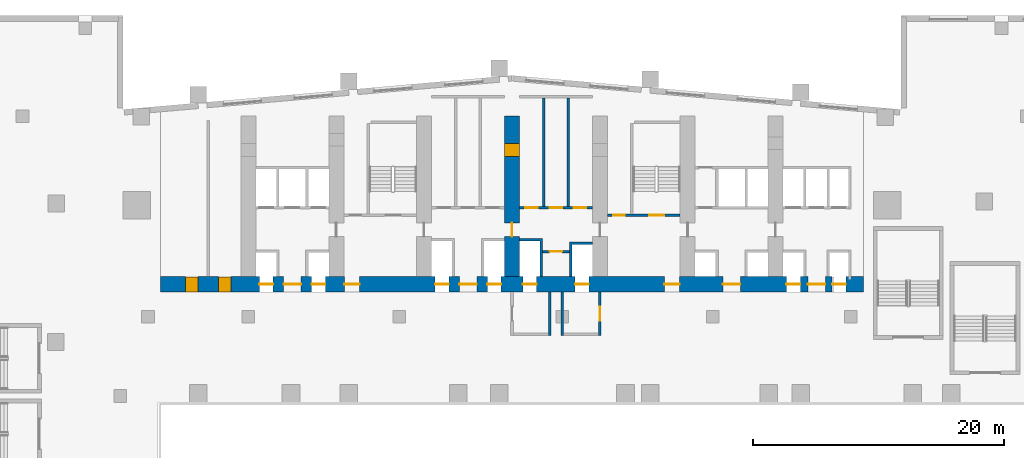
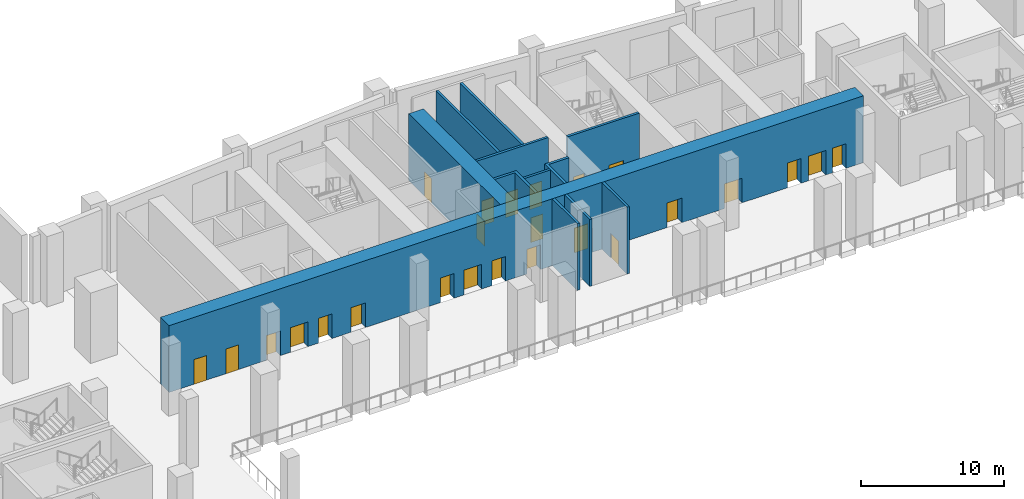
# One storey, part 15 of 30: 25 doors, 12 walls, 25 openings.
"""IFC4 building model written with IfcOpenShell, lengths in metres."""

from ifc_helpers import new_model, si_unit, direction, frame, frame_2d, origin, place, context, subcontext, project, spatial, polyline, rectangle, outline, extrude, material, layer, layer_set, type_object, element, fill, save


model = new_model("IFC4")

# Units and contexts
model_context = context("Model", 3, precision=1e-05, world=origin(), true_north=direction((0.0, 1.0)))
body_context = subcontext(model_context, "Body", "Model", "MODEL_VIEW")
ifc_project = project(units=[si_unit("LENGTHUNIT", "METRE"), si_unit("AREAUNIT", "SQUARE_METRE"), si_unit("VOLUMEUNIT", "CUBIC_METRE"), si_unit("PLANEANGLEUNIT", "RADIAN"), si_unit("MASSUNIT", "GRAM", prefix="KILO")], contexts=[model_context])

# Site, building, storey
site_placement = place(None, origin())
site = spatial("IfcSite", under=ifc_project, at=site_placement, CompositionType="ELEMENT")
building_placement = place(site_placement, origin())
building = spatial("IfcBuilding", under=site, at=building_placement, Name="Wharfspan Tower", CompositionType="ELEMENT")
storey_placement = place(building_placement, frame((0.0, 0.0, 21.5)))
storey = spatial("IfcBuildingStorey", under=building, at=storey_placement, Name="L03", CompositionType="ELEMENT", Elevation=21.5)

# Wall, opening, door
ifc_material_1 = material(Name="Calcium silicate masonry", Category="masonry")
ifc_layer_1 = layer(ifc_material_1, 0.199951)
ifc_layer_set_1 = layer_set([ifc_layer_1], Name="Calcium silicate masonry")
wall_type_1 = type_object("IfcWallType", Name="Core room wall 200", PredefinedType="PARTITIONING", material=ifc_layer_set_1)
wall_1_placement = place(storey_placement, frame((39.43335, 37.199951, 0.0), z_axis=(0.0, 0.0, 1.0), x_axis=(1.0, 0.0, 0.0)))
wall_1 = element("IfcWall", 1, at=wall_1_placement, inside=storey, type_object=wall_type_1, Name="sw:L03:FR4.2", PredefinedType="PARTITIONING", context=body_context, shape_type="SweptSolid", body=[
    extrude(rectangle(XDim=2.133301, YDim=0.199951, at=frame_2d((1.06665, 0.0))), origin(), (0.0, 0.0, 1.0), 5.699951),
])
opening_1_placement = place(wall_1_placement, frame((0.56665, 0.0, 0.0)))
opening_1 = element("IfcOpeningElement", 2, at=opening_1_placement, cuts=wall_1, Name="Opening CD03.4H2", PredefinedType="OPENING", context=body_context, shape_type="SweptSolid", body=[
    extrude(rectangle(XDim=1.0, YDim=2.100098, at=frame_2d((0.5, 1.050049))), frame((0.0, 0.109863, 0.0), z_axis=(0.0, -1.0, 0.0), x_axis=(1.0, 0.0, 0.0)), (0.0, 0.0, 1.0), 0.219971),
])
ifc_material_2 = material(Name="Steel door leaf", Category="steel")
door_type_1 = type_object("IfcDoorType", Name="Core room door 1000x2100", OperationType="SINGLE_SWING_LEFT", PredefinedType="DOOR", material=ifc_material_2)
door_1_placement = place(opening_1_placement, origin())
door_1 = element("IfcDoor", 3, at=door_1_placement, inside=storey, type_object=door_type_1, Name="d:L03:4:fh4.2", OperationType="SINGLE_SWING_RIGHT", OverallHeight=2.100098, OverallWidth=1.0, PredefinedType="DOOR", context=body_context, shape_type="SweptSolid", body=[
    extrude(rectangle(XDim=1.0, YDim=2.100098, at=frame_2d((0.5, 1.050049))), frame((0.0, 0.024902, 0.0), z_axis=(0.0, -1.0, 0.0), x_axis=(1.0, 0.0, 0.0)), (0.0, 0.0, 1.0), 0.050049),
])
fill(opening_1, door_1)

# Walls
for number, where, z_axis, x_axis, name in (
    (4, (39.533203, 40.800049, 0.0), (0.0, 0.0, 1.0), (0.0, 1.0, 0.0), "sw:L03:RP4.1"),
    (5, (41.466797, 40.800049, 0.0), (0.0, 0.0, 1.0), (0.0, 1.0, 0.0), "sw:L03:RP4.2"),
):
    element("IfcWall", number, at=place(storey_placement, frame(where, z_axis=z_axis, x_axis=x_axis)), inside=storey, type_object=wall_type_1, Name=name, PredefinedType="PARTITIONING", context=body_context, shape_type="SweptSolid", body=[
        extrude(rectangle(XDim=8.652588, YDim=0.199951, at=frame_2d((4.326172, 0.0))), origin(), (0.0, 0.0, 1.0), 5.699951),
    ])

# Wall, openings, doors
ifc_material_3 = material(Name="Concrete C70/85", Category="concrete")
ifc_layer_2 = layer(ifc_material_3, 1.199951)
ifc_layer_set_2 = layer_set([ifc_layer_2], Name="Concrete C70/85")
wall_type_2 = type_object("IfcWallType", Name="Core wall fallback 1.2", PredefinedType="SHEAR", material=ifc_layer_set_2)
wall_2_placement = place(storey_placement, frame((9.0, 34.600098, 0.0), z_axis=(0.0, 0.0, 1.0), x_axis=(1.0, 0.0, 0.0)))
wall_2 = element("IfcWall", 6, at=wall_2_placement, inside=storey, type_object=wall_type_2, Name="cw:L03:FW", PredefinedType="SHEAR", context=body_context, shape_type="SweptSolid", body=[
    extrude(rectangle(XDim=56.0, YDim=1.199951, at=frame_2d((28.0, 0.0))), origin(), (0.0, 0.0, 1.0), 5.699951),
])
opening_2_placement = place(wall_2_placement, frame((2.0, 0.0, 0.0)))
opening_2 = element("IfcOpeningElement", 7, at=opening_2_placement, cuts=wall_2, Name="Opening CD03.01", PredefinedType="OPENING", context=body_context, shape_type="SweptSolid", body=[
    extrude(rectangle(XDim=1.0, YDim=2.100098, at=frame_2d((0.5, 1.050049))), frame((0.0, 0.609863, 0.0), z_axis=(0.0, -1.0, 0.0), x_axis=(1.0, 0.0, 0.0)), (0.0, 0.0, 1.0), 1.219971),
])
opening_3_placement = place(wall_2_placement, frame((4.600098, 0.0, 0.0)))
opening_3 = element("IfcOpeningElement", 8, at=opening_3_placement, cuts=wall_2, Name="Opening CD03.02", PredefinedType="OPENING", context=body_context, shape_type="SweptSolid", body=[
    extrude(rectangle(XDim=1.0, YDim=2.100098, at=frame_2d((0.5, 1.050049))), frame((0.0, 0.609863, 0.0), z_axis=(0.0, -1.0, 0.0), x_axis=(1.0, 0.0, 0.0)), (0.0, 0.0, 1.0), 1.219971),
])
opening_4_placement = place(wall_2_placement, frame((7.866699, 0.0, 0.0)))
opening_4 = element("IfcOpeningElement", 9, at=opening_4_placement, cuts=wall_2, Name="Opening LD.LA1.L03", PredefinedType="OPENING", context=body_context, shape_type="SweptSolid", body=[
    extrude(rectangle(XDim=1.100098, YDim=2.100098, at=frame_2d((0.550049, 1.050049))), frame((0.0, 0.609863, 0.0), z_axis=(0.0, -1.0, 0.0), x_axis=(1.0, 0.0, 0.0)), (0.0, 0.0, 1.0), 1.219971),
])
opening_5_placement = place(wall_2_placement, frame((12.033203, 0.0, 0.0)))
opening_5 = element("IfcOpeningElement", 10, at=opening_5_placement, cuts=wall_2, Name="Opening LD.LA2.L03", PredefinedType="OPENING", context=body_context, shape_type="SweptSolid", body=[
    extrude(rectangle(XDim=1.100098, YDim=2.100098, at=frame_2d((0.550049, 1.050049))), frame((0.0, 0.609863, 0.0), z_axis=(0.0, -1.0, 0.0), x_axis=(1.0, 0.0, 0.0)), (0.0, 0.0, 1.0), 1.219971),
])
opening_6_placement = place(wall_2_placement, frame((9.800049, 0.0, 0.0)))
opening_6 = element("IfcOpeningElement", 11, at=opening_6_placement, cuts=wall_2, Name="Opening HD03.1", PredefinedType="OPENING", context=body_context, shape_type="SweptSolid", body=[
    extrude(rectangle(XDim=1.399902, YDim=2.100098, at=frame_2d((0.699951, 1.050049))), frame((0.0, 0.609863, 0.0), z_axis=(0.0, -1.0, 0.0), x_axis=(1.0, 0.0, 0.0)), (0.0, 0.0, 1.0), 1.219971),
])
opening_7_placement = place(wall_2_placement, frame((14.649902, 0.0, 0.0)))
opening_7 = element("IfcOpeningElement", 12, at=opening_7_placement, cuts=wall_2, Name="Opening SV2.L03", PredefinedType="OPENING", context=body_context, shape_type="SweptSolid", body=[
    extrude(rectangle(XDim=1.199951, YDim=2.100098, at=frame_2d((0.600098, 1.050049))), frame((0.0, 0.609863, 0.0), z_axis=(0.0, -1.0, 0.0), x_axis=(1.0, 0.0, 0.0)), (0.0, 0.0, 1.0), 1.219971),
])
opening_8_placement = place(wall_2_placement, frame((21.866699, 0.0, 0.0)))
opening_8 = element("IfcOpeningElement", 13, at=opening_8_placement, cuts=wall_2, Name="Opening LD.SL1.L03", PredefinedType="OPENING", context=body_context, shape_type="SweptSolid", body=[
    extrude(rectangle(XDim=1.100098, YDim=2.100098, at=frame_2d((0.550049, 1.050049))), frame((0.0, 0.609863, 0.0), z_axis=(0.0, -1.0, 0.0), x_axis=(1.0, 0.0, 0.0)), (0.0, 0.0, 1.0), 1.219971),
])
opening_9_placement = place(wall_2_placement, frame((26.033203, 0.0, 0.0)))
opening_9 = element("IfcOpeningElement", 14, at=opening_9_placement, cuts=wall_2, Name="Opening LD.SL2.L03", PredefinedType="OPENING", context=body_context, shape_type="SweptSolid", body=[
    extrude(rectangle(XDim=1.100098, YDim=2.100098, at=frame_2d((0.550049, 1.050049))), frame((0.0, 0.609863, 0.0), z_axis=(0.0, -1.0, 0.0), x_axis=(1.0, 0.0, 0.0)), (0.0, 0.0, 1.0), 1.219971),
])
opening_10_placement = place(wall_2_placement, frame((23.800049, 0.0, 0.0)))
opening_10 = element("IfcOpeningElement", 15, at=opening_10_placement, cuts=wall_2, Name="Opening HD03.3", PredefinedType="OPENING", context=body_context, shape_type="SweptSolid", body=[
    extrude(rectangle(XDim=1.399902, YDim=2.100098, at=frame_2d((0.699951, 1.050049))), frame((0.0, 0.609863, 0.0), z_axis=(0.0, -1.0, 0.0), x_axis=(1.0, 0.0, 0.0)), (0.0, 0.0, 1.0), 1.219971),
])
opening_11_placement = place(wall_2_placement, frame((28.866699, 0.0, 0.0)))
opening_11 = element("IfcOpeningElement", 16, at=opening_11_placement, cuts=wall_2, Name="Opening LD.FF1.L03", PredefinedType="OPENING", context=body_context, shape_type="SweptSolid", body=[
    extrude(rectangle(XDim=1.100098, YDim=2.100098, at=frame_2d((0.550049, 1.050049))), frame((0.0, 0.609863, 0.0), z_axis=(0.0, -1.0, 0.0), x_axis=(1.0, 0.0, 0.0)), (0.0, 0.0, 1.0), 1.219971),
])
opening_12_placement = place(wall_2_placement, frame((33.033203, 0.0, 0.0)))
opening_12 = element("IfcOpeningElement", 17, at=opening_12_placement, cuts=wall_2, Name="Opening LD.FF2.L03", PredefinedType="OPENING", context=body_context, shape_type="SweptSolid", body=[
    extrude(rectangle(XDim=1.100098, YDim=2.100098, at=frame_2d((0.550049, 1.050049))), frame((0.0, 0.609863, 0.0), z_axis=(0.0, -1.0, 0.0), x_axis=(1.0, 0.0, 0.0)), (0.0, 0.0, 1.0), 1.219971),
])
opening_13_placement = place(wall_2_placement, frame((40.149902, 0.0, 0.0)))
opening_13 = element("IfcOpeningElement", 18, at=opening_13_placement, cuts=wall_2, Name="Opening SV5.L03", PredefinedType="OPENING", context=body_context, shape_type="SweptSolid", body=[
    extrude(rectangle(XDim=1.199951, YDim=2.100098, at=frame_2d((0.600098, 1.050049))), frame((0.0, 0.609863, 0.0), z_axis=(0.0, -1.0, 0.0), x_axis=(1.0, 0.0, 0.0)), (0.0, 0.0, 1.0), 1.219971),
])
opening_14_placement = place(wall_2_placement, frame((44.800049, 0.0, 0.0)))
opening_14 = element("IfcOpeningElement", 19, at=opening_14_placement, cuts=wall_2, Name="Opening HD03.6", PredefinedType="OPENING", context=body_context, shape_type="SweptSolid", body=[
    extrude(rectangle(XDim=1.399902, YDim=2.100098, at=frame_2d((0.699951, 1.050049))), frame((0.0, 0.609863, 0.0), z_axis=(0.0, -1.0, 0.0), x_axis=(1.0, 0.0, 0.0)), (0.0, 0.0, 1.0), 1.219971),
])
opening_15_placement = place(wall_2_placement, frame((49.866699, 0.0, 0.0)))
opening_15 = element("IfcOpeningElement", 20, at=opening_15_placement, cuts=wall_2, Name="Opening LD.LA6.L03", PredefinedType="OPENING", context=body_context, shape_type="SweptSolid", body=[
    extrude(rectangle(XDim=1.100098, YDim=2.100098, at=frame_2d((0.550049, 1.050049))), frame((0.0, 0.609863, 0.0), z_axis=(0.0, -1.0, 0.0), x_axis=(1.0, 0.0, 0.0)), (0.0, 0.0, 1.0), 1.219971),
])
opening_16_placement = place(wall_2_placement, frame((53.5, 0.0, 0.0)))
opening_16 = element("IfcOpeningElement", 21, at=opening_16_placement, cuts=wall_2, Name="Opening LD.LA7.L03", PredefinedType="OPENING", context=body_context, shape_type="SweptSolid", body=[
    extrude(rectangle(XDim=1.100098, YDim=2.100098, at=frame_2d((0.550049, 1.050049))), frame((0.0, 0.609863, 0.0), z_axis=(0.0, -1.0, 0.0), x_axis=(1.0, 0.0, 0.0)), (0.0, 0.0, 1.0), 1.219971),
])
opening_17_placement = place(wall_2_placement, frame((51.56665, 0.0, 0.0)))
opening_17 = element("IfcOpeningElement", 22, at=opening_17_placement, cuts=wall_2, Name="Opening HD03.7", PredefinedType="OPENING", context=body_context, shape_type="SweptSolid", body=[
    extrude(rectangle(XDim=1.399902, YDim=2.100098, at=frame_2d((0.699951, 1.050049))), frame((0.0, 0.609863, 0.0), z_axis=(0.0, -1.0, 0.0), x_axis=(1.0, 0.0, 0.0)), (0.0, 0.0, 1.0), 1.219971),
])
door_2_placement = place(opening_2_placement, origin())
door_2 = element("IfcDoor", 23, at=door_2_placement, inside=storey, type_object=door_type_1, Name="d:L03:0:rf", OperationType="SINGLE_SWING_LEFT", OverallHeight=2.100098, OverallWidth=1.0, PredefinedType="DOOR", context=body_context, shape_type="SweptSolid", body=[
    extrude(rectangle(XDim=1.0, YDim=2.100098, at=frame_2d((0.5, 1.050049))), frame((0.0, 0.599609, 0.0), z_axis=(0.0, -1.0, 0.0), x_axis=(1.0, 0.0, 0.0)), (0.0, 0.0, 1.0), 1.199463),
])
fill(opening_2, door_2)
door_3_placement = place(opening_3_placement, origin())
door_3 = element("IfcDoor", 24, at=door_3_placement, inside=storey, type_object=door_type_1, Name="d:L03:0:rr", OperationType="SINGLE_SWING_RIGHT", OverallHeight=2.100098, OverallWidth=1.0, PredefinedType="DOOR", context=body_context, shape_type="SweptSolid", body=[
    extrude(rectangle(XDim=1.0, YDim=2.100098, at=frame_2d((0.5, 1.050049))), frame((0.0, 0.599609, 0.0), z_axis=(0.0, -1.0, 0.0), x_axis=(1.0, 0.0, 0.0)), (0.0, 0.0, 1.0), 1.199463),
])
fill(opening_3, door_3)
door_type_2 = type_object("IfcDoorType", Name="Hall entry door 1400x2100", OperationType="DOUBLE_DOOR_SINGLE_SWING", PredefinedType="DOOR", material=ifc_material_2)
door_4_placement = place(opening_6_placement, origin())
door_4 = element("IfcDoor", 25, at=door_4_placement, inside=storey, type_object=door_type_2, Name="d:L03:1:hd1", OperationType="DOUBLE_DOOR_SINGLE_SWING", OverallHeight=2.100098, OverallWidth=1.399902, PredefinedType="DOOR", context=body_context, shape_type="SweptSolid", body=[
    extrude(rectangle(XDim=1.399902, YDim=2.100098, at=frame_2d((0.699951, 1.050049))), frame((0.0, 0.024902, 0.0), z_axis=(0.0, -1.0, 0.0), x_axis=(1.0, 0.0, 0.0)), (0.0, 0.0, 1.0), 0.050049),
])
fill(opening_6, door_4)
door_5_placement = place(opening_10_placement, origin())
door_5 = element("IfcDoor", 26, at=door_5_placement, inside=storey, type_object=door_type_2, Name="d:L03:3:hd3", OperationType="DOUBLE_DOOR_SINGLE_SWING", OverallHeight=2.100098, OverallWidth=1.399902, PredefinedType="DOOR", context=body_context, shape_type="SweptSolid", body=[
    extrude(rectangle(XDim=1.399902, YDim=2.100098, at=frame_2d((0.699951, 1.050049))), frame((0.0, 0.024902, 0.0), z_axis=(0.0, -1.0, 0.0), x_axis=(1.0, 0.0, 0.0)), (0.0, 0.0, 1.0), 0.050049),
])
fill(opening_10, door_5)
door_6_placement = place(opening_14_placement, origin())
door_6 = element("IfcDoor", 27, at=door_6_placement, inside=storey, type_object=door_type_2, Name="d:L03:6:hd6", OperationType="DOUBLE_DOOR_SINGLE_SWING", OverallHeight=2.100098, OverallWidth=1.399902, PredefinedType="DOOR", context=body_context, shape_type="SweptSolid", body=[
    extrude(rectangle(XDim=1.399902, YDim=2.100098, at=frame_2d((0.699951, 1.050049))), frame((0.0, 0.024902, 0.0), z_axis=(0.0, -1.0, 0.0), x_axis=(1.0, 0.0, 0.0)), (0.0, 0.0, 1.0), 0.050049),
])
fill(opening_14, door_6)
door_7_placement = place(opening_17_placement, origin())
door_7 = element("IfcDoor", 28, at=door_7_placement, inside=storey, type_object=door_type_2, Name="d:L03:7:hd7", OperationType="DOUBLE_DOOR_SINGLE_SWING", OverallHeight=2.100098, OverallWidth=1.399902, PredefinedType="DOOR", context=body_context, shape_type="SweptSolid", body=[
    extrude(rectangle(XDim=1.399902, YDim=2.100098, at=frame_2d((0.699951, 1.050049))), frame((0.0, 0.024902, 0.0), z_axis=(0.0, -1.0, 0.0), x_axis=(1.0, 0.0, 0.0)), (0.0, 0.0, 1.0), 0.050049),
])
fill(opening_17, door_7)
ifc_material_4 = material(Name="Stainless steel", Category="steel")
door_type_3 = type_object("IfcDoorType", Name="Lift landing door 1100x2100", OperationType="DOUBLE_DOOR_SLIDING", PredefinedType="DOOR", material=ifc_material_4)
door_8_placement = place(opening_4_placement, origin())
door_8 = element("IfcDoor", 29, at=door_8_placement, inside=storey, type_object=door_type_3, Name="Landing door LA1 L03", OperationType="DOUBLE_DOOR_SLIDING", OverallHeight=2.100098, OverallWidth=1.100098, PredefinedType="DOOR", context=body_context, shape_type="SweptSolid", body=[
    extrude(rectangle(XDim=1.100098, YDim=2.100098, at=frame_2d((0.550049, 1.050049))), frame((0.0, 0.024902, 0.0), z_axis=(0.0, -1.0, 0.0), x_axis=(1.0, 0.0, 0.0)), (0.0, 0.0, 1.0), 0.050049),
])
fill(opening_4, door_8)
door_9_placement = place(opening_5_placement, origin())
door_9 = element("IfcDoor", 30, at=door_9_placement, inside=storey, type_object=door_type_3, Name="Landing door LA2 L03", OperationType="DOUBLE_DOOR_SLIDING", OverallHeight=2.100098, OverallWidth=1.100098, PredefinedType="DOOR", context=body_context, shape_type="SweptSolid", body=[
    extrude(rectangle(XDim=1.100098, YDim=2.100098, at=frame_2d((0.550049, 1.050049))), frame((0.0, 0.024902, 0.0), z_axis=(0.0, -1.0, 0.0), x_axis=(1.0, 0.0, 0.0)), (0.0, 0.0, 1.0), 0.050049),
])
fill(opening_5, door_9)
door_10_placement = place(opening_8_placement, origin())
door_10 = element("IfcDoor", 31, at=door_10_placement, inside=storey, type_object=door_type_3, Name="Landing door SL1 L03", OperationType="DOUBLE_DOOR_SLIDING", OverallHeight=2.100098, OverallWidth=1.100098, PredefinedType="DOOR", context=body_context, shape_type="SweptSolid", body=[
    extrude(rectangle(XDim=1.100098, YDim=2.100098, at=frame_2d((0.550049, 1.050049))), frame((0.0, 0.024902, 0.0), z_axis=(0.0, -1.0, 0.0), x_axis=(1.0, 0.0, 0.0)), (0.0, 0.0, 1.0), 0.050049),
])
fill(opening_8, door_10)
door_11_placement = place(opening_9_placement, origin())
door_11 = element("IfcDoor", 32, at=door_11_placement, inside=storey, type_object=door_type_3, Name="Landing door SL2 L03", OperationType="DOUBLE_DOOR_SLIDING", OverallHeight=2.100098, OverallWidth=1.100098, PredefinedType="DOOR", context=body_context, shape_type="SweptSolid", body=[
    extrude(rectangle(XDim=1.100098, YDim=2.100098, at=frame_2d((0.550049, 1.050049))), frame((0.0, 0.024902, 0.0), z_axis=(0.0, -1.0, 0.0), x_axis=(1.0, 0.0, 0.0)), (0.0, 0.0, 1.0), 0.050049),
])
fill(opening_9, door_11)
door_12_placement = place(opening_11_placement, origin())
door_12 = element("IfcDoor", 33, at=door_12_placement, inside=storey, type_object=door_type_3, Name="Landing door FF1 L03", OperationType="DOUBLE_DOOR_SLIDING", OverallHeight=2.100098, OverallWidth=1.100098, PredefinedType="DOOR", context=body_context, shape_type="SweptSolid", body=[
    extrude(rectangle(XDim=1.100098, YDim=2.100098, at=frame_2d((0.550049, 1.050049))), frame((0.0, 0.024902, 0.0), z_axis=(0.0, -1.0, 0.0), x_axis=(1.0, 0.0, 0.0)), (0.0, 0.0, 1.0), 0.050049),
])
fill(opening_11, door_12)
door_13_placement = place(opening_12_placement, origin())
door_13 = element("IfcDoor", 34, at=door_13_placement, inside=storey, type_object=door_type_3, Name="Landing door FF2 L03", OperationType="DOUBLE_DOOR_SLIDING", OverallHeight=2.100098, OverallWidth=1.100098, PredefinedType="DOOR", context=body_context, shape_type="SweptSolid", body=[
    extrude(rectangle(XDim=1.100098, YDim=2.100098, at=frame_2d((0.550049, 1.050049))), frame((0.0, 0.024902, 0.0), z_axis=(0.0, -1.0, 0.0), x_axis=(1.0, 0.0, 0.0)), (0.0, 0.0, 1.0), 0.050049),
])
fill(opening_12, door_13)
door_14_placement = place(opening_15_placement, origin())
door_14 = element("IfcDoor", 35, at=door_14_placement, inside=storey, type_object=door_type_3, Name="Landing door LA6 L03", OperationType="DOUBLE_DOOR_SLIDING", OverallHeight=2.100098, OverallWidth=1.100098, PredefinedType="DOOR", context=body_context, shape_type="SweptSolid", body=[
    extrude(rectangle(XDim=1.100098, YDim=2.100098, at=frame_2d((0.550049, 1.050049))), frame((0.0, 0.024902, 0.0), z_axis=(0.0, -1.0, 0.0), x_axis=(1.0, 0.0, 0.0)), (0.0, 0.0, 1.0), 0.050049),
])
fill(opening_15, door_14)
door_15_placement = place(opening_16_placement, origin())
door_15 = element("IfcDoor", 36, at=door_15_placement, inside=storey, type_object=door_type_3, Name="Landing door LA7 L03", OperationType="DOUBLE_DOOR_SLIDING", OverallHeight=2.100098, OverallWidth=1.100098, PredefinedType="DOOR", context=body_context, shape_type="SweptSolid", body=[
    extrude(rectangle(XDim=1.100098, YDim=2.100098, at=frame_2d((0.550049, 1.050049))), frame((0.0, 0.024902, 0.0), z_axis=(0.0, -1.0, 0.0), x_axis=(1.0, 0.0, 0.0)), (0.0, 0.0, 1.0), 0.050049),
])
fill(opening_16, door_15)
door_type_4 = type_object("IfcDoorType", Name="Stair door 1200x2100", OperationType="SINGLE_SWING_LEFT", PredefinedType="DOOR", material=ifc_material_2)
door_16_placement = place(opening_7_placement, origin())
door_16 = element("IfcDoor", 37, at=door_16_placement, inside=storey, type_object=door_type_4, Name="vd:L03:2", OperationType="SINGLE_SWING_LEFT", OverallHeight=2.100098, OverallWidth=1.199951, PredefinedType="DOOR", context=body_context, shape_type="SweptSolid", body=[
    extrude(rectangle(XDim=1.199951, YDim=2.100098, at=frame_2d((0.600098, 1.050049))), frame((0.0, 0.024902, 0.0), z_axis=(0.0, -1.0, 0.0), x_axis=(1.0, 0.0, 0.0)), (0.0, 0.0, 1.0), 0.050049),
])
fill(opening_7, door_16)
door_17_placement = place(opening_13_placement, origin())
door_17 = element("IfcDoor", 38, at=door_17_placement, inside=storey, type_object=door_type_4, Name="vd:L03:5", OperationType="SINGLE_SWING_LEFT", OverallHeight=2.100098, OverallWidth=1.199951, PredefinedType="DOOR", context=body_context, shape_type="SweptSolid", body=[
    extrude(rectangle(XDim=1.199951, YDim=2.100098, at=frame_2d((0.600098, 1.050049))), frame((0.0, 0.024902, 0.0), z_axis=(0.0, -1.0, 0.0), x_axis=(1.0, 0.0, 0.0)), (0.0, 0.0, 1.0), 0.050049),
])
fill(opening_13, door_17)

wall_3_placement = place(storey_placement, frame((37.0, 35.199951, 0.0), z_axis=(0.0, 0.0, 1.0), x_axis=(0.0, 1.0, 0.0)))
wall_3 = element("IfcWall", 39, at=wall_3_placement, inside=storey, type_object=wall_type_2, Name="cw:L03:X4", PredefinedType="SHEAR", context=body_context, shape_type="SweptSolid", body=[
    extrude(rectangle(XDim=12.800049, YDim=1.199951, at=frame_2d((6.399902, 0.0))), origin(), (0.0, 0.0, 1.0), 5.699951),
])
opening_18_placement = place(wall_3_placement, frame((3.199951, 0.0, 0.0)))
opening_18 = element("IfcOpeningElement", 40, at=opening_18_placement, cuts=wall_3, Name="Opening CC03.4", PredefinedType="OPENING", context=body_context, shape_type="SweptSolid", body=[
    extrude(rectangle(XDim=1.100098, YDim=2.100098, at=frame_2d((0.550049, 1.050049))), frame((0.0, 0.609863, 0.0), z_axis=(0.0, -1.0, 0.0), x_axis=(1.0, 0.0, 0.0)), (0.0, 0.0, 1.0), 1.219971),
])
opening_19_placement = place(wall_3_placement, frame((9.600098, 0.0, 0.0)))
opening_19 = element("IfcOpeningElement", 41, at=opening_19_placement, cuts=wall_3, Name="Opening CR03.4", PredefinedType="OPENING", context=body_context, shape_type="SweptSolid", body=[
    extrude(rectangle(XDim=1.0, YDim=2.100098, at=frame_2d((0.5, 1.050049))), frame((0.0, 0.609863, 0.0), z_axis=(0.0, -1.0, 0.0), x_axis=(1.0, 0.0, 0.0)), (0.0, 0.0, 1.0), 1.219971),
])
door_type_5 = type_object("IfcDoorType", Name="Core corridor door 1100x2100", OperationType="SINGLE_SWING_LEFT", PredefinedType="DOOR", material=ifc_material_2)
door_18_placement = place(opening_18_placement, origin())
door_18 = element("IfcDoor", 42, at=door_18_placement, inside=storey, type_object=door_type_5, Name="xd:L03:4", OperationType="SINGLE_SWING_RIGHT", OverallHeight=2.100098, OverallWidth=1.100098, PredefinedType="DOOR", context=body_context, shape_type="SweptSolid", body=[
    extrude(rectangle(XDim=1.100098, YDim=2.100098, at=frame_2d((0.550049, 1.050049))), frame((0.0, 0.024902, 0.0), z_axis=(0.0, -1.0, 0.0), x_axis=(1.0, 0.0, 0.0)), (0.0, 0.0, 1.0), 0.050049),
])
fill(opening_18, door_18)
door_19_placement = place(opening_19_placement, origin())
door_19 = element("IfcDoor", 43, at=door_19_placement, inside=storey, type_object=door_type_1, Name="xr:L03:4", OperationType="SINGLE_SWING_RIGHT", OverallHeight=2.100098, OverallWidth=1.0, PredefinedType="DOOR", context=body_context, shape_type="SweptSolid", body=[
    extrude(rectangle(XDim=1.0, YDim=2.100098, at=frame_2d((0.5, 1.050049))), frame((0.0, 0.599609, 0.0), z_axis=(0.0, -1.0, 0.0), x_axis=(1.0, 0.0, 0.0)), (0.0, 0.0, 1.0), 1.199463),
])
fill(opening_19, door_19)

ifc_material_5 = material(Name="Concrete C30/37", Category="concrete")
ifc_layer_3 = layer(ifc_material_5, 0.199951)
ifc_layer_set_3 = layer_set([ifc_layer_3], Name="Concrete C30/37")
wall_type_3 = type_object("IfcWallType", Name="Lift shaft wall 200", PredefinedType="PARTITIONING", material=ifc_layer_set_3)
wall_4_placement = place(storey_placement, frame((37.600098, 40.699951, 0.0), z_axis=(0.0, 0.0, 1.0), x_axis=(1.0, 0.0, 0.0)))
wall_4 = element("IfcWall", 44, at=wall_4_placement, inside=storey, type_object=wall_type_3, Name="sw:L03:RF4", PredefinedType="PARTITIONING", context=body_context, shape_type="SweptSolid", body=[
    extrude(rectangle(XDim=5.799805, YDim=0.199951, at=frame_2d((2.899902, 0.0))), origin(), (0.0, 0.0, 1.0), 5.699951),
])
opening_20_placement = place(wall_4_placement, frame((0.466797, 0.0, 0.0)))
opening_20 = element("IfcOpeningElement", 45, at=opening_20_placement, cuts=wall_4, Name="Opening CD03.4S", PredefinedType="OPENING", context=body_context, shape_type="SweptSolid", body=[
    extrude(rectangle(XDim=1.0, YDim=2.100098, at=frame_2d((0.5, 1.050049))), frame((0.0, 0.109863, 0.0), z_axis=(0.0, -1.0, 0.0), x_axis=(1.0, 0.0, 0.0)), (0.0, 0.0, 1.0), 0.219971),
])
opening_21_placement = place(wall_4_placement, frame((2.399902, 0.0, 0.0)))
opening_21 = element("IfcOpeningElement", 46, at=opening_21_placement, cuts=wall_4, Name="Opening CD03.4Sa", PredefinedType="OPENING", context=body_context, shape_type="SweptSolid", body=[
    extrude(rectangle(XDim=1.0, YDim=2.100098, at=frame_2d((0.5, 1.050049))), frame((0.0, 0.109863, 0.0), z_axis=(0.0, -1.0, 0.0), x_axis=(1.0, 0.0, 0.0)), (0.0, 0.0, 1.0), 0.219971),
])
opening_22_placement = place(wall_4_placement, frame((4.333252, 0.0, 0.0)))
opening_22 = element("IfcOpeningElement", 47, at=opening_22_placement, cuts=wall_4, Name="Opening CD03.4Sb", PredefinedType="OPENING", context=body_context, shape_type="SweptSolid", body=[
    extrude(rectangle(XDim=1.0, YDim=2.100098, at=frame_2d((0.5, 1.050049))), frame((0.0, 0.109863, 0.0), z_axis=(0.0, -1.0, 0.0), x_axis=(1.0, 0.0, 0.0)), (0.0, 0.0, 1.0), 0.219971),
])
door_20_placement = place(opening_20_placement, origin())
door_20 = element("IfcDoor", 48, at=door_20_placement, inside=storey, type_object=door_type_1, Name="d:L03:4:sf", OperationType="SINGLE_SWING_LEFT", OverallHeight=2.100098, OverallWidth=1.0, PredefinedType="DOOR", context=body_context, shape_type="SweptSolid", body=[
    extrude(rectangle(XDim=1.0, YDim=2.100098, at=frame_2d((0.5, 1.050049))), frame((0.0, 0.024902, 0.0), z_axis=(0.0, -1.0, 0.0), x_axis=(1.0, 0.0, 0.0)), (0.0, 0.0, 1.0), 0.050049),
])
fill(opening_20, door_20)
door_21_placement = place(opening_21_placement, origin())
door_21 = element("IfcDoor", 49, at=door_21_placement, inside=storey, type_object=door_type_1, Name="d:L03:4:sf1", OperationType="SINGLE_SWING_LEFT", OverallHeight=2.100098, OverallWidth=1.0, PredefinedType="DOOR", context=body_context, shape_type="SweptSolid", body=[
    extrude(rectangle(XDim=1.0, YDim=2.100098, at=frame_2d((0.5, 1.050049))), frame((0.0, 0.024902, 0.0), z_axis=(0.0, -1.0, 0.0), x_axis=(1.0, 0.0, 0.0)), (0.0, 0.0, 1.0), 0.050049),
])
fill(opening_21, door_21)
door_22_placement = place(opening_22_placement, origin())
door_22 = element("IfcDoor", 50, at=door_22_placement, inside=storey, type_object=door_type_1, Name="d:L03:4:sf2", OperationType="SINGLE_SWING_LEFT", OverallHeight=2.100098, OverallWidth=1.0, PredefinedType="DOOR", context=body_context, shape_type="SweptSolid", body=[
    extrude(rectangle(XDim=1.0, YDim=2.100098, at=frame_2d((0.5, 1.050049))), frame((0.0, 0.024902, 0.0), z_axis=(0.0, -1.0, 0.0), x_axis=(1.0, 0.0, 0.0)), (0.0, 0.0, 1.0), 0.050049),
])
fill(opening_22, door_22)

# Walls
wall_5_placement = place(storey_placement, frame((0.0, 0.0, -0.000244)))
element("IfcWall", 51, at=wall_5_placement, inside=storey, type_object=wall_type_3, Name="sw:L03:FM4.0", PredefinedType="PARTITIONING", context=body_context, shape_type="SweptSolid", body=[
    extrude(outline(polyline([(41.56665, 37.949951), (41.766602, 37.949951), (43.399902, 37.949951), (43.399902, 37.75), (41.766602, 37.75), (41.766602, 35.199951), (41.56665, 35.199951), (41.56665, 37.949951)])), origin(), (0.0, 0.0, 1.0), 5.700195),
])
wall_6_placement = place(storey_placement, frame((0.0, 0.0, -0.000244)))
element("IfcWall", 52, at=wall_6_placement, inside=storey, type_object=wall_type_3, Name="sw:L03:FM4.1", PredefinedType="PARTITIONING", context=body_context, shape_type="SweptSolid", body=[
    extrude(outline(polyline([(39.233398, 38.050049), (37.600098, 38.050049), (37.600098, 38.25), (39.233398, 38.25), (39.43335, 38.25), (39.43335, 35.199951), (39.233398, 35.199951), (39.233398, 38.050049)])), origin(), (0.0, 0.0, 1.0), 5.700195),
])
ifc_layer_4 = layer(ifc_material_5, 0.199951)
ifc_layer_set_4 = layer_set([ifc_layer_4], Name="Concrete C30/37")
wall_type_4 = type_object("IfcWallType", Name="Lobby wall 200", PredefinedType="PARTITIONING", material=ifc_layer_set_4)
for number, where, z_axis, x_axis, name in (
    (53, (40.0, 30.5, 0.0), (0.0, 0.0, 1.0), (0.0, 1.0, 0.0), "sw:L03:FLFF1E"),
    (54, (41.0, 30.5, 0.0), (0.0, 0.0, 1.0), (0.0, 1.0, 0.0), "sw:L03:FLFF2W"),
):
    element("IfcWall", number, at=place(storey_placement, frame(where, z_axis=z_axis, x_axis=x_axis)), inside=storey, type_object=wall_type_4, Name=name, PredefinedType="PARTITIONING", context=body_context, shape_type="SweptSolid", body=[
        extrude(rectangle(XDim=3.5, YDim=0.199951, at=frame_2d((1.75, 0.0))), origin(), (0.0, 0.0, 1.0), 5.699951),
    ])

# Wall, opening, door
wall_7_placement = place(storey_placement, frame((44.0, 30.5, 0.0), z_axis=(0.0, 0.0, 1.0), x_axis=(0.0, 1.0, 0.0)))
wall_7 = element("IfcWall", 55, at=wall_7_placement, inside=storey, type_object=wall_type_4, Name="sw:L03:FLFF2E", PredefinedType="PARTITIONING", context=body_context, shape_type="SweptSolid", body=[
    extrude(rectangle(XDim=3.5, YDim=0.199951, at=frame_2d((1.75, 0.0))), origin(), (0.0, 0.0, 1.0), 5.699951),
])
opening_23_placement = place(wall_7_placement, frame((1.199951, 0.0, 0.0)))
opening_23 = element("IfcOpeningElement", 56, at=opening_23_placement, cuts=wall_7, Name="Opening FL.FF2.L03", PredefinedType="OPENING", context=body_context, shape_type="SweptSolid", body=[
    extrude(rectangle(XDim=1.100098, YDim=2.100098, at=frame_2d((0.550049, 1.050049))), frame((0.0, 0.109863, 0.0), z_axis=(0.0, -1.0, 0.0), x_axis=(1.0, 0.0, 0.0)), (0.0, 0.0, 1.0), 0.219971),
])
door_type_6 = type_object("IfcDoorType", Name="Firefighting lobby door 1100x2100", OperationType="SINGLE_SWING_LEFT", PredefinedType="DOOR", material=ifc_material_2)
door_23_placement = place(opening_23_placement, origin())
door_23 = element("IfcDoor", 57, at=door_23_placement, inside=storey, type_object=door_type_6, Name="fd:L03:FF2", OperationType="SINGLE_SWING_LEFT", OverallHeight=2.100098, OverallWidth=1.100098, PredefinedType="DOOR", context=body_context, shape_type="SweptSolid", body=[
    extrude(rectangle(XDim=1.100098, YDim=2.100098, at=frame_2d((0.550049, 1.050049))), frame((0.0, 0.024902, 0.0), z_axis=(0.0, -1.0, 0.0), x_axis=(1.0, 0.0, 0.0)), (0.0, 0.0, 1.0), 0.050049),
])
fill(opening_23, door_23)

# Wall, openings, doors
ifc_material_6 = material(Name="Concrete C40/50", Category="concrete")
ifc_layer_5 = layer(ifc_material_6, 0.199951)
ifc_layer_set_5 = layer_set([ifc_layer_5], Name="Concrete C40/50")
wall_type_5 = type_object("IfcWallType", Name="Stair shaft wall 200", PredefinedType="SHEAR", material=ifc_layer_set_5)
wall_8_placement = place(storey_placement, frame((44.600098, 40.100098, 0.0), z_axis=(0.0, 0.0, 1.0), x_axis=(1.0, 0.0, 0.0)))
wall_8 = element("IfcWall", 58, at=wall_8_placement, inside=storey, type_object=wall_type_5, Name="ST2 stair enclosure wall L03", PredefinedType="SHEAR", context=body_context, shape_type="SweptSolid", body=[
    extrude(rectangle(XDim=5.799805, YDim=0.199951, at=frame_2d((2.899902, 0.0))), origin(), (0.0, 0.0, 1.0), 5.699951),
])
opening_24_placement = place(wall_8_placement, frame((3.324951, 0.0, 0.0)))
opening_24 = element("IfcOpeningElement", 59, at=opening_24_placement, cuts=wall_8, Name="Opening SD5.L03", PredefinedType="OPENING", context=body_context, shape_type="SweptSolid", body=[
    extrude(rectangle(XDim=1.199951, YDim=2.100098, at=frame_2d((0.600098, 1.050049))), frame((0.0, 0.109863, 0.0), z_axis=(0.0, -1.0, 0.0), x_axis=(1.0, 0.0, 0.0)), (0.0, 0.0, 1.0), 0.219971),
])
opening_25_placement = place(wall_8_placement, frame((0.475098, 0.0, 0.0)))
opening_25 = element("IfcOpeningElement", 60, at=opening_25_placement, cuts=wall_8, Name="Opening CD03.5R", PredefinedType="OPENING", context=body_context, shape_type="SweptSolid", body=[
    extrude(rectangle(XDim=0.899902, YDim=2.100098, at=frame_2d((0.449951, 1.050049))), frame((0.0, 0.109863, 0.0), z_axis=(0.0, -1.0, 0.0), x_axis=(1.0, 0.0, 0.0)), (0.0, 0.0, 1.0), 0.219971),
])
door_24_placement = place(opening_25_placement, origin())
door_24 = element("IfcDoor", 61, at=door_24_placement, inside=storey, type_object=door_type_1, Name="rk:L03:5", OperationType="SINGLE_SWING_LEFT", OverallHeight=2.100098, OverallWidth=0.899902, PredefinedType="DOOR", context=body_context, shape_type="SweptSolid", body=[
    extrude(rectangle(XDim=0.899902, YDim=2.100098, at=frame_2d((0.449951, 1.050049))), frame((0.0, 0.024902, 0.0), z_axis=(0.0, -1.0, 0.0), x_axis=(1.0, 0.0, 0.0)), (0.0, 0.0, 1.0), 0.050049),
])
fill(opening_25, door_24)
door_25_placement = place(opening_24_placement, origin())
door_25 = element("IfcDoor", 62, at=door_25_placement, inside=storey, type_object=door_type_4, Name="sd:L03:5", OperationType="SINGLE_SWING_RIGHT", OverallHeight=2.100098, OverallWidth=1.199951, PredefinedType="DOOR", context=body_context, shape_type="SweptSolid", body=[
    extrude(rectangle(XDim=1.199951, YDim=2.100098, at=frame_2d((0.600098, 1.050049))), frame((0.0, 0.024902, 0.0), z_axis=(0.0, -1.0, 0.0), x_axis=(1.0, 0.0, 0.0)), (0.0, 0.0, 1.0), 0.050049),
])
fill(opening_24, door_25)

save(model, "model.ifc")
